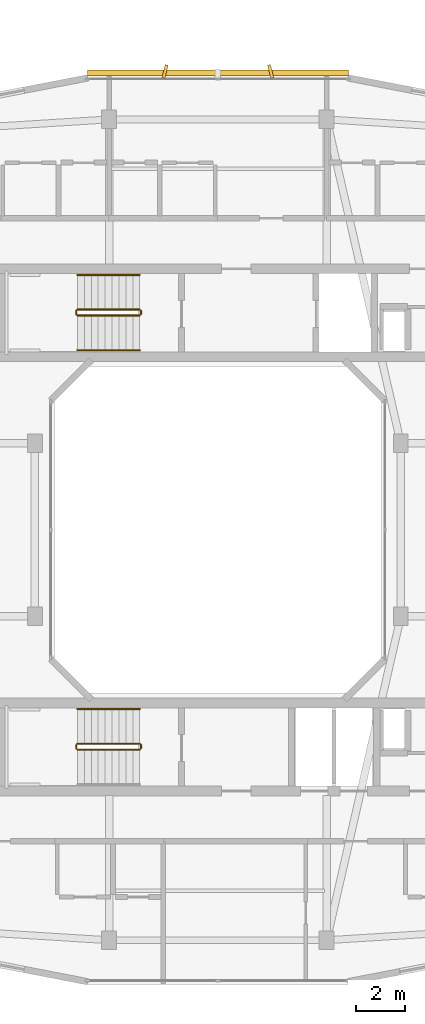
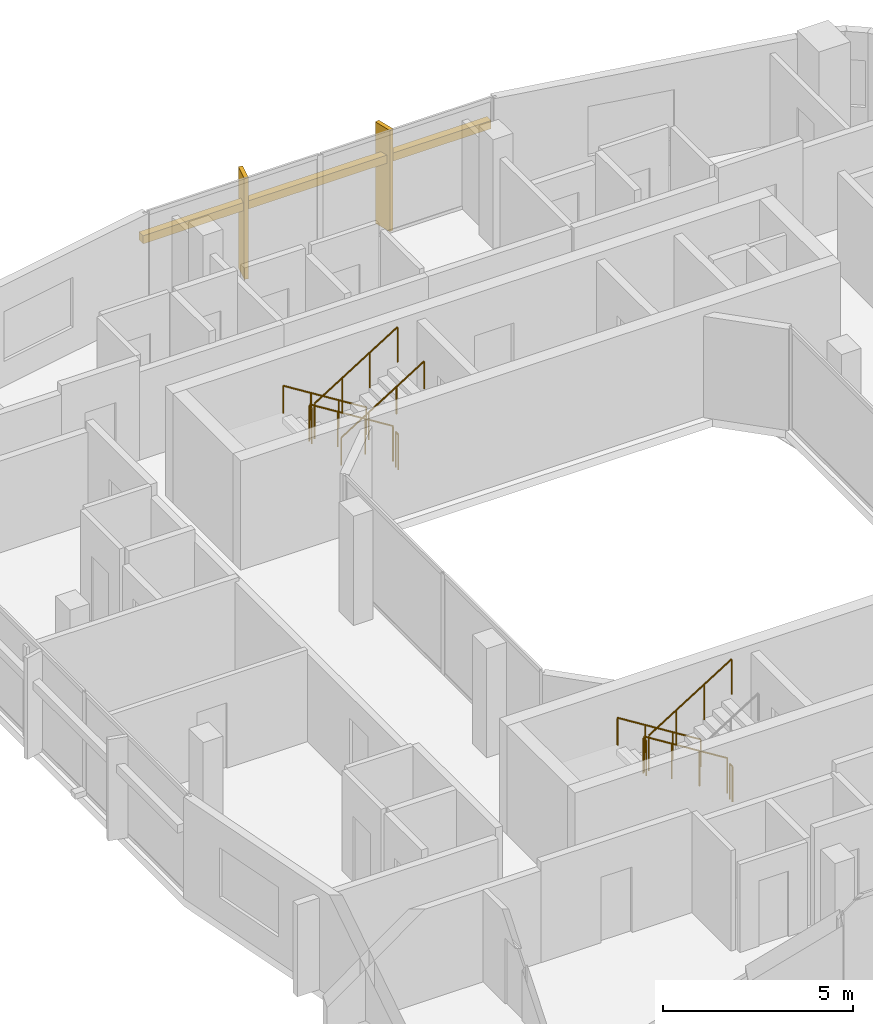
# One storey, part 26 of 26: 11 railings, 3 shading devices.
"""IFC4 building model written with IfcOpenShell, lengths in metres."""

from ifc_helpers import new_model, si_unit, derived_unit, direction, frame, origin, origin_2d, place, context, subcontext, project, spatial, rectangle, circle, extrude, material, type_object, element, save


model = new_model("IFC4")

# Units and contexts
model_context = context("Model", 3, precision=1e-05, world=origin(), true_north=direction((0.0, 1.0)))
body_context = subcontext(model_context, "Body", "Model", "MODEL_VIEW")
ifc_project = project(units=[si_unit("LENGTHUNIT", "METRE"), si_unit("AREAUNIT", "SQUARE_METRE"), si_unit("VOLUMEUNIT", "CUBIC_METRE"), si_unit("PLANEANGLEUNIT", "RADIAN"), si_unit("MASSUNIT", "GRAM", prefix="KILO"), derived_unit("THERMALTRANSMITTANCEUNIT", [(si_unit("POWERUNIT", "WATT"), 1), (si_unit("LENGTHUNIT", "METRE"), -2), (si_unit("THERMODYNAMICTEMPERATUREUNIT", "KELVIN"), -1)])], contexts=[model_context])

# Site, building, storey
site_placement = place(None, origin())
site = spatial("IfcSite", under=ifc_project, at=site_placement, CompositionType="ELEMENT")
building_placement = place(site_placement, origin())
building = spatial("IfcBuilding", under=site, at=building_placement, Name="Kivonza Crest Hotel", CompositionType="ELEMENT")
storey_placement = place(building_placement, frame((0.0, 0.0, 98.5)))
storey = spatial("IfcBuildingStorey", under=building, at=storey_placement, Name="L26", CompositionType="ELEMENT", Elevation=98.5)

# Railings
ifc_material_1 = material(Name="Brushed stainless steel handrail", Category="steel")
railing_type_1 = type_object("IfcRailingType", Name="RL-HAND-900", PredefinedType="HANDRAIL", material=ifc_material_1)
railing_1_placement = place(storey_placement, frame((73.840087890625, 35.31005859375, 0.175048828125)))
element("IfcRailing", 1, at=railing_1_placement, inside=storey, type_object=railing_type_1, Name="L26 ST-T2-N stair handrail 1", PredefinedType="HANDRAIL", context=body_context, shape_type="SweptSolid", body=[
    extrude(circle(Radius=0.02392578125, at=origin_2d()), frame((0.0, 0.0, 0.8759765625), z_axis=(-0.848007534815, 0.0, 0.529984170421), x_axis=(0.0, -1.0, 0.0)), (0.0, 0.0, 1.0), 2.9716796875),
    extrude(circle(Radius=0.02099609375, at=origin_2d()), origin(), (0.0, 0.0, 1.0), 0.851806640625),
    extrude(circle(Radius=0.02099609375, at=origin_2d()), frame((-0.840087890625, 0.0, 0.52490234375)), (0.0, 0.0, 1.0), 0.851806640625),
    extrude(circle(Radius=0.02099609375, at=origin_2d()), frame((-1.679931640625, 0.0, 1.050048828125)), (0.0, 0.0, 1.0), 0.851806640625),
    extrude(circle(Radius=0.02099609375, at=origin_2d()), frame((-2.52001953125, 0.0, 1.574951171875)), (0.0, 0.0, 1.0), 0.851806640625),
])
railing_2_placement = place(storey_placement, frame((71.320068359375, 32.27001953125, 1.925048828125)))
element("IfcRailing", 2, at=railing_2_placement, inside=storey, type_object=railing_type_1, Name="L26 ST-T2-N stair handrail 2", PredefinedType="HANDRAIL", context=body_context, shape_type="SweptSolid", body=[
    extrude(circle(Radius=0.02392578125, at=origin_2d()), frame((0.0, 0.0, 0.8759765625), z_axis=(0.848007534815, 0.0, 0.529984170421), x_axis=(0.0, 1.0, 0.0)), (0.0, 0.0, 1.0), 2.9716796875),
    extrude(circle(Radius=0.02099609375, at=origin_2d()), origin(), (0.0, 0.0, 1.0), 0.851806640625),
    extrude(circle(Radius=0.02099609375, at=origin_2d()), frame((0.840087890625, 0.0, 0.52490234375)), (0.0, 0.0, 1.0), 0.851806640625),
    extrude(circle(Radius=0.02099609375, at=origin_2d()), frame((1.679931640625, 0.0, 1.050048828125)), (0.0, 0.0, 1.0), 0.851806640625),
    extrude(circle(Radius=0.02099609375, at=origin_2d()), frame((2.52001953125, 0.0, 1.574951171875)), (0.0, 0.0, 1.0), 0.851806640625),
])
railing_3_placement = place(storey_placement, frame((73.840087890625, 17.75, 0.175048828125)))
element("IfcRailing", 3, at=railing_3_placement, inside=storey, type_object=railing_type_1, Name="L26 ST-T2-S stair handrail 1", PredefinedType="HANDRAIL", context=body_context, shape_type="SweptSolid", body=[
    extrude(circle(Radius=0.02392578125, at=origin_2d()), frame((0.0, 0.0, 0.8759765625), z_axis=(-0.848007534815, 0.0, 0.529984170421), x_axis=(0.0, -1.0, 0.0)), (0.0, 0.0, 1.0), 2.9716796875),
    extrude(circle(Radius=0.02099609375, at=origin_2d()), origin(), (0.0, 0.0, 1.0), 0.851806640625),
    extrude(circle(Radius=0.02099609375, at=origin_2d()), frame((-0.840087890625, 0.0, 0.52490234375)), (0.0, 0.0, 1.0), 0.851806640625),
    extrude(circle(Radius=0.02099609375, at=origin_2d()), frame((-1.679931640625, 0.0, 1.050048828125)), (0.0, 0.0, 1.0), 0.851806640625),
    extrude(circle(Radius=0.02099609375, at=origin_2d()), frame((-2.52001953125, 0.0, 1.574951171875)), (0.0, 0.0, 1.0), 0.851806640625),
])
ifc_material_2 = material(Name="Painted steel balustrade", Category="steel")
railing_type_2 = type_object("IfcRailingType", Name="RL-STAIR-1150", PredefinedType="BALUSTRADE", material=ifc_material_2)
railing_4_placement = place(storey_placement, frame((73.840087890625, 33.909912109375, 0.175048828125)))
element("IfcRailing", 4, at=railing_4_placement, inside=storey, type_object=railing_type_2, Name="L26 ST-T2-N stair guard 1", PredefinedType="BALUSTRADE", context=body_context, shape_type="SweptSolid", body=[
    extrude(circle(Radius=0.02392578125, at=origin_2d()), frame((0.0, 0.0, 1.1259765625), z_axis=(-0.848007534815, 0.0, 0.529984170421), x_axis=(0.0, -1.0, 0.0)), (0.0, 0.0, 1.0), 2.9716796875),
    extrude(circle(Radius=0.02099609375, at=origin_2d()), origin(), (0.0, 0.0, 1.0), 1.101806640625),
    extrude(circle(Radius=0.02099609375, at=origin_2d()), frame((-0.840087890625, 0.0, 0.52490234375)), (0.0, 0.0, 1.0), 1.101806640625),
    extrude(circle(Radius=0.02099609375, at=origin_2d()), frame((-1.679931640625, 0.0, 1.050048828125)), (0.0, 0.0, 1.0), 1.101806640625),
    extrude(circle(Radius=0.02099609375, at=origin_2d()), frame((-2.52001953125, 0.0, 1.574951171875)), (0.0, 0.0, 1.0), 1.101806640625),
])
railing_5_placement = place(storey_placement, frame((71.27001953125, 33.860107421875, 1.75)))
element("IfcRailing", 5, at=railing_5_placement, inside=storey, type_object=railing_type_2, Name="L26 ST-T2-N stair guard 2", PredefinedType="BALUSTRADE", context=body_context, shape_type="SweptSolid", body=[
    extrude(circle(Radius=0.02392578125, at=origin_2d()), frame((0.0, 0.0, 1.1259765625), z_axis=(0.0, -1.0, 0.0), x_axis=(1.0, 0.0, 0.0)), (0.0, 0.0, 1.0), 0.14013671875),
    extrude(circle(Radius=0.02099609375, at=origin_2d()), origin(), (0.0, 0.0, 1.0), 1.101806640625),
    extrude(circle(Radius=0.02099609375, at=origin_2d()), frame((0.0, -0.14013671875, 0.0)), (0.0, 0.0, 1.0), 1.101806640625),
])
railing_6_placement = place(storey_placement, frame((71.320068359375, 33.669921875, 1.925048828125)))
element("IfcRailing", 6, at=railing_6_placement, inside=storey, type_object=railing_type_2, Name="L26 ST-T2-N stair guard 3", PredefinedType="BALUSTRADE", context=body_context, shape_type="SweptSolid", body=[
    extrude(circle(Radius=0.02392578125, at=origin_2d()), frame((0.0, 0.0, 1.1259765625), z_axis=(0.848007534815, 0.0, 0.529984170421), x_axis=(0.0, 1.0, 0.0)), (0.0, 0.0, 1.0), 2.9716796875),
    extrude(circle(Radius=0.02099609375, at=origin_2d()), origin(), (0.0, 0.0, 1.0), 1.101806640625),
    extrude(circle(Radius=0.02099609375, at=origin_2d()), frame((0.840087890625, 0.0, 0.52490234375)), (0.0, 0.0, 1.0), 1.101806640625),
    extrude(circle(Radius=0.02099609375, at=origin_2d()), frame((1.679931640625, 0.0, 1.050048828125)), (0.0, 0.0, 1.0), 1.101806640625),
    extrude(circle(Radius=0.02099609375, at=origin_2d()), frame((2.52001953125, 0.0, 1.574951171875)), (0.0, 0.0, 1.0), 1.101806640625),
])
railing_7_placement = place(storey_placement, frame((73.889892578125, 33.860107421875, 0.0)))
element("IfcRailing", 7, at=railing_7_placement, inside=storey, type_object=railing_type_2, Name="L26 ST-T2-N stair guard 4", PredefinedType="BALUSTRADE", context=body_context, shape_type="SweptSolid", body=[
    extrude(circle(Radius=0.02392578125, at=origin_2d()), frame((0.0, 0.0, 1.1259765625), z_axis=(0.0, -1.0, 0.0), x_axis=(1.0, 0.0, 0.0)), (0.0, 0.0, 1.0), 0.14013671875),
    extrude(circle(Radius=0.02099609375, at=origin_2d()), origin(), (0.0, 0.0, 1.0), 1.101806640625),
    extrude(circle(Radius=0.02099609375, at=origin_2d()), frame((0.0, -0.14013671875, 0.0)), (0.0, 0.0, 1.0), 1.101806640625),
])
railing_8_placement = place(storey_placement, frame((73.840087890625, 16.35009765625, 0.175048828125)))
element("IfcRailing", 8, at=railing_8_placement, inside=storey, type_object=railing_type_2, Name="L26 ST-T2-S stair guard 1", PredefinedType="BALUSTRADE", context=body_context, shape_type="SweptSolid", body=[
    extrude(circle(Radius=0.02392578125, at=origin_2d()), frame((0.0, 0.0, 1.1259765625), z_axis=(-0.848007534815, 0.0, 0.529984170421), x_axis=(0.0, -1.0, 0.0)), (0.0, 0.0, 1.0), 2.9716796875),
    extrude(circle(Radius=0.02099609375, at=origin_2d()), origin(), (0.0, 0.0, 1.0), 1.101806640625),
    extrude(circle(Radius=0.02099609375, at=origin_2d()), frame((-0.840087890625, 0.0, 0.52490234375)), (0.0, 0.0, 1.0), 1.101806640625),
    extrude(circle(Radius=0.02099609375, at=origin_2d()), frame((-1.679931640625, 0.0, 1.050048828125)), (0.0, 0.0, 1.0), 1.101806640625),
    extrude(circle(Radius=0.02099609375, at=origin_2d()), frame((-2.52001953125, 0.0, 1.574951171875)), (0.0, 0.0, 1.0), 1.101806640625),
])
railing_9_placement = place(storey_placement, frame((71.27001953125, 16.300048828125, 1.75)))
element("IfcRailing", 9, at=railing_9_placement, inside=storey, type_object=railing_type_2, Name="L26 ST-T2-S stair guard 2", PredefinedType="BALUSTRADE", context=body_context, shape_type="SweptSolid", body=[
    extrude(circle(Radius=0.02392578125, at=origin_2d()), frame((0.0, 0.0, 1.1259765625), z_axis=(0.0, -1.0, 0.0), x_axis=(1.0, 0.0, 0.0)), (0.0, 0.0, 1.0), 0.14013671875),
    extrude(circle(Radius=0.02099609375, at=origin_2d()), origin(), (0.0, 0.0, 1.0), 1.101806640625),
    extrude(circle(Radius=0.02099609375, at=origin_2d()), frame((0.0, -0.14013671875, 0.0)), (0.0, 0.0, 1.0), 1.101806640625),
])
railing_10_placement = place(storey_placement, frame((71.320068359375, 16.110107421875, 1.925048828125)))
element("IfcRailing", 10, at=railing_10_placement, inside=storey, type_object=railing_type_2, Name="L26 ST-T2-S stair guard 3", PredefinedType="BALUSTRADE", context=body_context, shape_type="SweptSolid", body=[
    extrude(circle(Radius=0.02392578125, at=origin_2d()), frame((0.0, 0.0, 1.1259765625), z_axis=(0.848007534815, 0.0, 0.529984170421), x_axis=(0.0, 1.0, 0.0)), (0.0, 0.0, 1.0), 2.9716796875),
    extrude(circle(Radius=0.02099609375, at=origin_2d()), origin(), (0.0, 0.0, 1.0), 1.101806640625),
    extrude(circle(Radius=0.02099609375, at=origin_2d()), frame((0.840087890625, 0.0, 0.52490234375)), (0.0, 0.0, 1.0), 1.101806640625),
    extrude(circle(Radius=0.02099609375, at=origin_2d()), frame((1.679931640625, 0.0, 1.050048828125)), (0.0, 0.0, 1.0), 1.101806640625),
    extrude(circle(Radius=0.02099609375, at=origin_2d()), frame((2.52001953125, 0.0, 1.574951171875)), (0.0, 0.0, 1.0), 1.101806640625),
])
railing_11_placement = place(storey_placement, frame((73.889892578125, 16.300048828125, 0.0)))
element("IfcRailing", 11, at=railing_11_placement, inside=storey, type_object=railing_type_2, Name="L26 ST-T2-S stair guard 4", PredefinedType="BALUSTRADE", context=body_context, shape_type="SweptSolid", body=[
    extrude(circle(Radius=0.02392578125, at=origin_2d()), frame((0.0, 0.0, 1.1259765625), z_axis=(0.0, -1.0, 0.0), x_axis=(1.0, 0.0, 0.0)), (0.0, 0.0, 1.0), 0.14013671875),
    extrude(circle(Radius=0.02099609375, at=origin_2d()), origin(), (0.0, 0.0, 1.0), 1.101806640625),
    extrude(circle(Radius=0.02099609375, at=origin_2d()), frame((0.0, -0.14013671875, 0.0)), (0.0, 0.0, 1.0), 1.101806640625),
])

# Shading devices
ifc_material_3 = material(Name="Kiln-fired Nairobi red-ochre terracotta", Category="masonry")
shading_device_type_1 = type_object("IfcShadingDeviceType", Name="SH-BAGUETTE-300", PredefinedType="USERDEFINED", material=ifc_material_3)
shading_device_placement = place(storey_placement, frame((77.0, 43.47998046875, 2.14501953125), z_axis=(0.0, 0.0, 1.0), x_axis=(-1.0, 0.0, 0.0)))
element("IfcShadingDevice", 12, at=shading_device_placement, inside=storey, type_object=shading_device_type_1, Name="L26 terracotta baguette screen CW-T2-L26-26", ObjectType="BAGUETTE", PredefinedType="USERDEFINED", context=body_context, shape_type="SweptSolid", body=[
    extrude(rectangle(XDim=10.56005859375, YDim=0.219970703125, at=origin_2d()), origin(), (0.0, 0.0, 1.0), 0.260009765625),
])
ifc_material_4 = material(Name="Kiln-fired terracotta over extruded aluminium spine", Category="masonry")
shading_device_type_2 = type_object("IfcShadingDeviceType", Name="SH-FIN-550", PredefinedType="USERDEFINED", material=ifc_material_4)
for number, where, z_axis, x_axis, name in (
    (13, (79.135986328125, 43.5400390625, 0.0), (0.0, 0.0, 1.0), (-0.970295726276, -0.2419218956, 0.0), "L26 vertical solar shading fin CW-T2-L26-26-1"),
    (14, (74.864013671875, 43.5400390625, 0.0), (0.0, 0.0, 1.0), (-0.970295726276, 0.2419218956, 0.0), "L26 vertical solar shading fin CW-T2-L26-26-2"),
):
    element("IfcShadingDevice", number, at=place(storey_placement, frame(where, z_axis=z_axis, x_axis=x_axis)), inside=storey, type_object=shading_device_type_2, Name=name, ObjectType="FIN", PredefinedType="USERDEFINED", context=body_context, shape_type="SweptSolid", body=[
        extrude(rectangle(XDim=0.1201171875, YDim=0.550048828125, at=origin_2d()), origin(), (0.0, 0.0, 1.0), 3.25),
    ])

save(model, "model.ifc")
